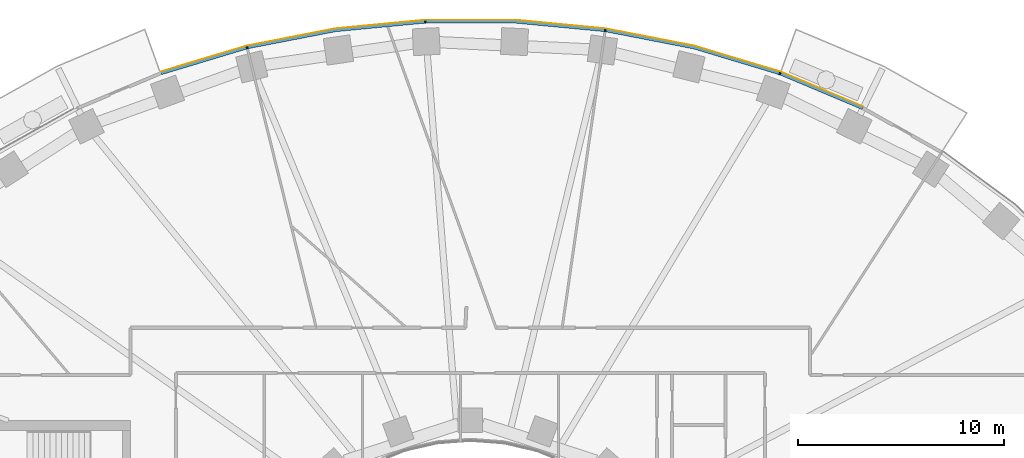
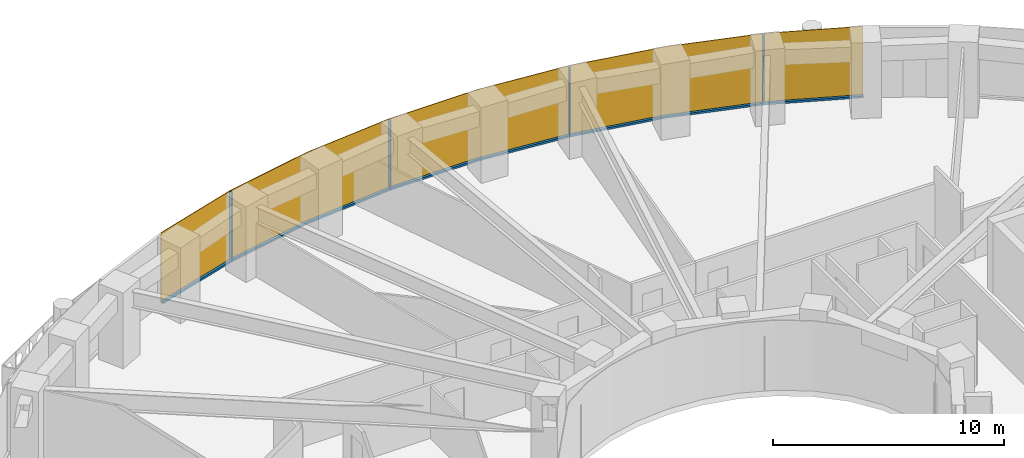
# One storey, part 12 of 15: 9 members, 1 curtain wall.
"""IFC4 building model written with IfcOpenShell, lengths in metres."""

from ifc_helpers import new_model, si_unit, direction, frame, origin, origin_2d, place, context, subcontext, project, spatial, polyline, rectangle, outline, extrude, material, layer, layer_set, material_profile, profile_set, type_object, element, aggregate, save


model = new_model("IFC4")

# Units and contexts
model_context = context("Model", 3, precision=1e-05, world=origin(), true_north=direction((0.0, 1.0)))
body_context = subcontext(model_context, "Body", "Model", "MODEL_VIEW")
ifc_project = project(units=[si_unit("LENGTHUNIT", "METRE"), si_unit("AREAUNIT", "SQUARE_METRE"), si_unit("VOLUMEUNIT", "CUBIC_METRE"), si_unit("PLANEANGLEUNIT", "RADIAN"), si_unit("MASSUNIT", "GRAM", prefix="KILO")], contexts=[model_context])

# Member
ifc_material_1 = material(Name="Aluminium 6063-T6 black anodised", Category="aluminium")
ifc_material_profile = material_profile(ifc_material_1, rectangle(XDim=0.1201171875, YDim=0.06005859375, at=origin_2d()), Name="120x60")
ifc_profile_set = profile_set([ifc_material_profile], Name="Aluminium 6063-T6 black anodised")
member_type_1 = type_object("IfcMemberType", Name="ENV-MULLION-A-120", PredefinedType="MULLION", material=ifc_profile_set)
site_placement = place(None, origin())
building_placement = place(site_placement, origin())
storey_placement = place(building_placement, frame((0.0, 0.0, 104.0)))
member_1_placement = place(storey_placement, frame((15.0341796875, 25.34375, 0.0), z_axis=(0.0, 0.0, 1.0), x_axis=(-0.338379256581, -0.941009818608, 0.0)))
member_1 = element("IfcMember", 1, at=member_1_placement, type_object=member_type_1, Name="Mullion A radial 09", PredefinedType="MULLION", context=body_context, shape_type="SweptSolid", body=[
    extrude(rectangle(XDim=0.1201171875, YDim=0.06005859375, at=origin_2d()), origin(), (0.0, 0.0, 1.0), 3.699951171875),
])

member_2_placement = place(storey_placement, frame((6.54638671875, 27.440185546875, 0.0), z_axis=(0.0, 0.0, 1.0), x_axis=(-0.143082012705, -0.989710835366, 0.0)))
member_2 = element("IfcMember", 2, at=member_2_placement, type_object=member_type_1, Name="Mullion A radial 11", PredefinedType="MULLION", context=body_context, shape_type="SweptSolid", body=[
    extrude(rectangle(XDim=0.1201171875, YDim=0.06005859375, at=origin_2d()), origin(), (0.0, 0.0, 1.0), 3.699951171875),
])

member_3_placement = place(storey_placement, frame((-2.188720703125, 27.856201171875, 0.0), z_axis=(0.0, 0.0, 1.0), x_axis=(0.047557873581, -0.998868484166, 0.0)))
member_3 = element("IfcMember", 3, at=member_3_placement, type_object=member_type_1, Name="Mullion A radial 13", PredefinedType="MULLION", context=body_context, shape_type="SweptSolid", body=[
    extrude(rectangle(XDim=0.1201171875, YDim=0.06005859375, at=origin_2d()), origin(), (0.0, 0.0, 1.0), 3.699951171875),
])

member_4_placement = place(storey_placement, frame((-10.84326171875, 26.60498046875, 0.0), z_axis=(0.0, 0.0, 1.0), x_axis=(0.239799081534, -0.970822538106, 0.0)))
member_4 = element("IfcMember", 4, at=member_4_placement, type_object=member_type_1, Name="Mullion A radial 15", PredefinedType="MULLION", context=body_context, shape_type="SweptSolid", body=[
    extrude(rectangle(XDim=0.1201171875, YDim=0.06005859375, at=origin_2d()), origin(), (0.0, 0.0, 1.0), 3.699951171875),
])

ifc_material_2 = material(Name="Aluminium 6063-T6 black anodised", Category="aluminium")
member_type_2 = type_object("IfcMemberType", Name="ENV-TRANSOM-A", PredefinedType="USERDEFINED", material=ifc_material_2)
member_5_placement = place(storey_placement, origin())
member_5 = element("IfcMember", 5, at=member_5_placement, type_object=member_type_2, Name="Transom A radial 08-09", ObjectType="TRANSOM", PredefinedType="USERDEFINED", context=body_context, shape_type="SweptSolid", body=[
    extrude(outline(polyline([(19.07568359375, 23.709228515625), (15.080322265625, 25.389404296875), (15.03955078125, 25.276123046875), (19.02294921875, 23.601318359375), (19.07568359375, 23.709228515625)])), origin(), (0.0, 0.0, 1.0), 0.10009765625),
])

member_6_placement = place(storey_placement, origin())
member_6 = element("IfcMember", 6, at=member_6_placement, type_object=member_type_2, Name="Transom A radial 09-11", ObjectType="TRANSOM", PredefinedType="USERDEFINED", context=body_context, shape_type="SweptSolid", body=[
    extrude(outline(polyline([(15.027587890625, 25.408203125), (10.857666015625, 26.6630859375), (6.58251953125, 27.494140625), (6.5654296875, 27.375244140625), (10.828857421875, 26.54638671875), (14.987060546875, 25.295166015625), (15.027587890625, 25.408203125)])), origin(), (0.0, 0.0, 1.0), 0.10009765625),
])

member_7_placement = place(storey_placement, origin())
member_7 = element("IfcMember", 7, at=member_7_placement, type_object=member_type_2, Name="Transom A radial 11-13", ObjectType="TRANSOM", PredefinedType="USERDEFINED", context=body_context, shape_type="SweptSolid", body=[
    extrude(outline(polyline([(6.527099609375, 27.502197265625), (2.191650390625, 27.916015625), (-2.163818359375, 27.916015625), (-2.157958984375, 27.7958984375), (2.185791015625, 27.7958984375), (6.510009765625, 27.38330078125), (6.527099609375, 27.502197265625)])), origin(), (0.0, 0.0, 1.0), 0.10009765625),
])

member_8_placement = place(storey_placement, origin())
member_8 = element("IfcMember", 8, at=member_8_placement, type_object=member_type_2, Name="Transom A radial 13-15", ObjectType="TRANSOM", PredefinedType="USERDEFINED", context=body_context, shape_type="SweptSolid", body=[
    extrude(outline(polyline([(-2.219482421875, 27.913330078125), (-6.55517578125, 27.49951171875), (-10.830078125, 26.66845703125), (-10.80126953125, 26.552001953125), (-6.537841796875, 27.380615234375), (-2.2138671875, 27.793212890625), (-2.219482421875, 27.913330078125)])), origin(), (0.0, 0.0, 1.0), 0.10009765625),
])

member_9_placement = place(storey_placement, origin())
member_9 = element("IfcMember", 9, at=member_9_placement, type_object=member_type_2, Name="Transom A radial 15-16", ObjectType="TRANSOM", PredefinedType="USERDEFINED", context=body_context, shape_type="SweptSolid", body=[
    extrude(outline(polyline([(-10.884521484375, 26.655029296875), (-15.035400390625, 25.406005859375), (-14.99462890625, 25.292724609375), (-10.855712890625, 26.53857421875), (-10.884521484375, 26.655029296875)])), origin(), (0.0, 0.0, 1.0), 0.10009765625),
])

# Site, building, storey
site = spatial("IfcSite", under=ifc_project, at=site_placement, CompositionType="ELEMENT")
building = spatial("IfcBuilding", under=site, at=building_placement, Name="Noorbagh Ring Tower", CompositionType="ELEMENT")
storey = spatial("IfcBuildingStorey", under=building, at=storey_placement, Name="L23", CompositionType="ELEMENT", Elevation=104.0)

# Curtain wall
ifc_material_3 = material(Name="Glass dark tinted laminated", Category="glass")
ifc_layer = layer(ifc_material_3, 0.031982421875)
ifc_layer_set = layer_set([ifc_layer], Name="Glass dark tinted laminated")
curtain_wall_type = type_object("IfcCurtainWallType", Name="ENV-CW-A", PredefinedType="NOTDEFINED", material=ifc_layer_set)
curtain_wall_placement = place(storey_placement, origin())
curtain_wall = element("IfcCurtainWall", 10, at=curtain_wall_placement, inside=storey, type_object=curtain_wall_type, Name="Curtain wall A R08", PredefinedType="NOTDEFINED", context=body_context, shape_type="SweptSolid", body=[
    extrude(outline(polyline([(19.08984375, 23.738037109375), (15.065185546875, 25.430419921875), (10.865234375, 26.6943359375), (6.559814453125, 27.53125), (2.193115234375, 27.947998046875), (-2.193115234375, 27.947998046875), (-6.559814453125, 27.53125), (-10.865234375, 26.6943359375), (-15.046142578125, 25.43603515625), (-15.035400390625, 25.406005859375), (-10.857666015625, 26.6630859375), (-6.55517578125, 27.49951171875), (-2.191650390625, 27.916015625), (2.191650390625, 27.916015625), (6.55517578125, 27.49951171875), (10.857666015625, 26.6630859375), (15.054443359375, 25.400146484375), (19.07568359375, 23.709228515625), (19.08984375, 23.738037109375)])), origin(), (0.0, 0.0, 1.0), 3.699951171875),
])

aggregate(curtain_wall, [member_1, member_2, member_3, member_4, member_5, member_6, member_7, member_8, member_9])

save(model, "model.ifc")
